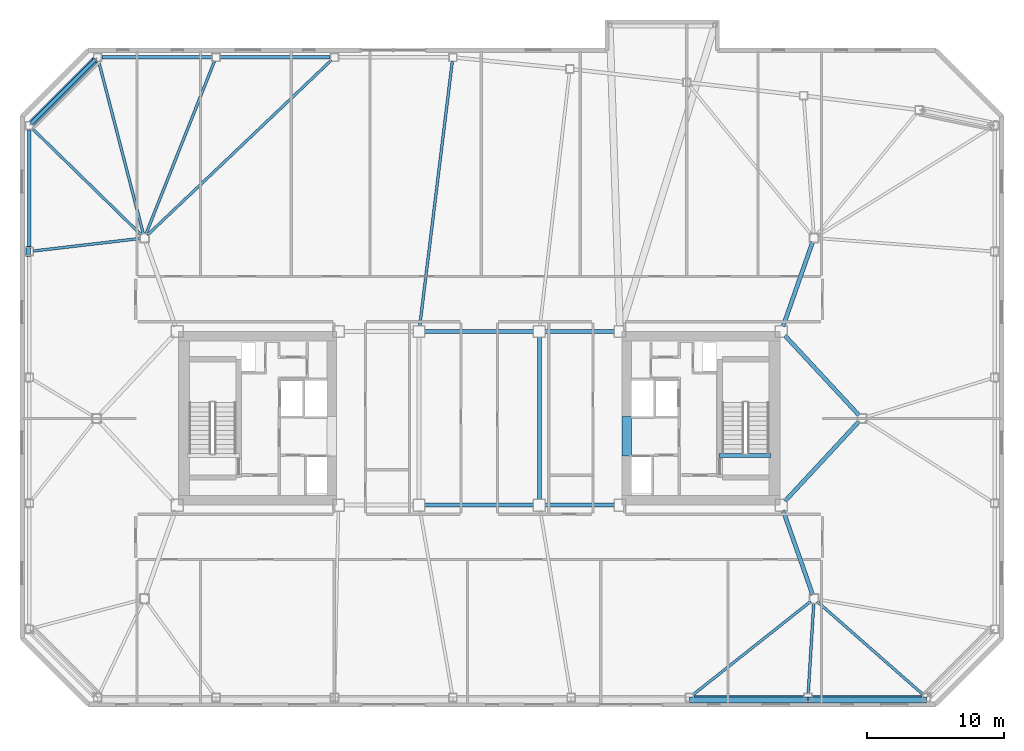
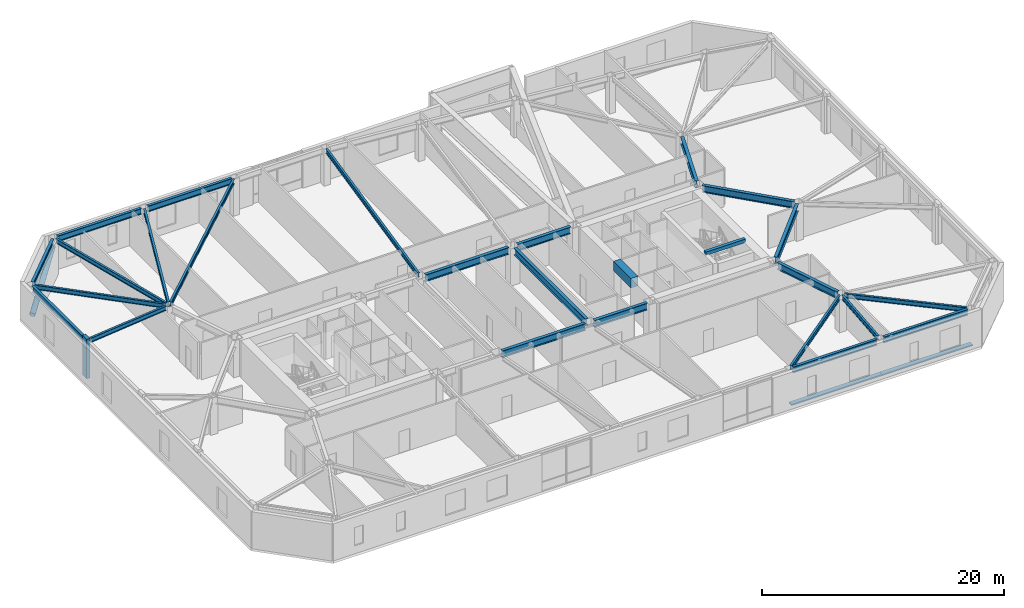
# One storey, part 7 of 18: 26 beams, 4 members.
"""IFC4 building model written with IfcOpenShell, lengths in metres."""

from ifc_helpers import new_model, si_unit, direction, frame, origin, origin_2d, place, context, subcontext, project, spatial, rectangle, hollow_circle, i_section, extrude, material, material_profile, profile_set, type_object, element, save


model = new_model("IFC4")

# Units and contexts
model_context = context("Model", 3, precision=1e-05, world=origin(), true_north=direction((0.0, 1.0)))
body_context = subcontext(model_context, "Body", "Model", "MODEL_VIEW")
ifc_project = project(units=[si_unit("LENGTHUNIT", "METRE"), si_unit("AREAUNIT", "SQUARE_METRE"), si_unit("VOLUMEUNIT", "CUBIC_METRE"), si_unit("PLANEANGLEUNIT", "RADIAN"), si_unit("MASSUNIT", "GRAM", prefix="KILO")], contexts=[model_context])

# Site, building, storey
site_placement = place(None, origin())
site = spatial("IfcSite", under=ifc_project, at=site_placement, CompositionType="ELEMENT")
building_placement = place(site_placement, origin())
building = spatial("IfcBuilding", under=site, at=building_placement, Name="Tavrogorsk Clinical Tower", CompositionType="ELEMENT")
storey_placement = place(building_placement, frame((0.0, 0.0, 180.199951171875)))
storey = spatial("IfcBuildingStorey", under=building, at=storey_placement, Name="L41", CompositionType="ELEMENT", Elevation=180.199951171875)

# Members
ifc_material_1 = material(Name="Anodised aluminium alloy AW-6063", Category="aluminium")
ifc_material_profile_1 = material_profile(ifc_material_1, rectangle(XDim=0.449951171875, YDim=0.1201171875, at=origin_2d()), Name="ALU-SUNSHADE-450x120")
ifc_profile_set_1 = profile_set([ifc_material_profile_1], Name="Anodised aluminium alloy AW-6063")
member_type_1 = type_object("IfcMemberType", Name="ChicagoSunshade_450x120", PredefinedType="USERDEFINED", material=ifc_profile_set_1)
for number, where, z_axis, x_axis, name in (
    (1, (15.394287109375, -20.60009765625, 0.179931640625), (1.0, 0.0, 0.0), (0.0, 1.0, 0.0), "L41 South Aluminium Sunshade S6"),
    (2, (24.05712890625, -20.60009765625, 0.179931640625), (1.0, 0.0, 0.0), (0.0, 1.0, 0.0), "L41 South Aluminium Sunshade S7"),
):
    element("IfcMember", number, at=place(storey_placement, frame(where, z_axis=z_axis, x_axis=x_axis)), inside=storey, type_object=member_type_1, Name=name, ObjectType="SUNSHADE", PredefinedType="USERDEFINED", context=body_context, shape_type="SweptSolid", body=[
        extrude(rectangle(XDim=0.449951171875, YDim=0.1201171875, at=origin_2d()), origin(), (0.0, 0.0, 1.0), 8.662841796875),
    ])

# Beam
ifc_material_2 = material(Name="Concrete B80", Category="concrete")
ifc_material_profile_2 = material_profile(ifc_material_2, rectangle(XDim=0.699951171875, YDim=0.949951171875, at=origin_2d()), Name="RC-CB-700x950")
ifc_profile_set_2 = profile_set([ifc_material_profile_2], Name="Concrete B80")
beam_type_1 = type_object("IfcBeamType", Name="CouplingBeam_RC700x950", PredefinedType="LINTEL", material=ifc_profile_set_2)
beam_1_placement = place(storey_placement, frame((10.800048828125, -2.75, 3.26513671875), z_axis=(0.0, 1.0, 0.0), x_axis=(-1.0, 0.0, 0.0)))
element("IfcBeam", 3, at=beam_1_placement, inside=storey, type_object=beam_type_1, Name="L41 Core East Coupling Beam", PredefinedType="LINTEL", context=body_context, shape_type="SweptSolid", body=[
    extrude(rectangle(XDim=0.699951171875, YDim=0.949951171875, at=origin_2d()), origin(), (0.0, 0.0, 1.0), 2.89990234375),
])

# Member
ifc_material_3 = material(Name="Structural steel S440", Category="steel")
ifc_material_profile_3 = material_profile(ifc_material_3, hollow_circle(Radius=0.25390625, WallThickness=0.02001953125, at=origin_2d()), Name="CHS-508x20")
ifc_profile_set_3 = profile_set([ifc_material_profile_3], Name="Structural steel S440")
member_type_2 = type_object("IfcMemberType", Name="ExoBrace_CHS508", PredefinedType="BRACE", material=ifc_profile_set_3)
member_1_placement = place(storey_placement, frame((-32.717529296875, 21.62255859375, 0.4130859375), z_axis=(0.657758524103, 0.657758524103, 0.367025132572), x_axis=(-0.707106781187, 0.707106781187, 0.0)))
element("IfcMember", 4, at=member_1_placement, inside=storey, type_object=member_type_2, Name="L41 Corner Exoskeleton Brace N8-W1", PredefinedType="BRACE", context=body_context, shape_type="SweptSolid", body=[
    extrude(hollow_circle(Radius=0.25390625, WallThickness=0.02001953125, at=origin_2d()), origin(), (0.0, 0.0, 1.0), 6.98583984375),
])

# Beams
ifc_material_4 = material(Name="Structural steel S355", Category="steel")
ifc_material_profile_4 = material_profile(ifc_material_4, i_section(OverallWidth=0.199951171875, OverallDepth=0.449951171875, WebThickness=0.011474609375, FlangeThickness=0.01806640625, at=origin_2d()), Name="B-450x200x11.5x18")
ifc_profile_set_4 = profile_set([ifc_material_profile_4], Name="Structural steel S355")
beam_type_2 = type_object("IfcBeamType", Name="FloorBeam_B450", PredefinedType="BEAM", material=ifc_profile_set_4)
beam_2_placement = place(storey_placement, frame((24.257080078125, -13.392578125, 3.51513671875), z_axis=(-0.783561002819, -0.621314859682, 0.0), x_axis=(0.621314859682, -0.783561002819, 0.0)))
element("IfcBeam", 5, at=beam_2_placement, inside=storey, type_object=beam_type_2, Name="L41 Radial Floor Beam S6", PredefinedType="BEAM", context=body_context, shape_type="SweptSolid", body=[
    extrude(i_section(OverallWidth=0.199951171875, OverallDepth=0.449951171875, WebThickness=0.011474609375, FlangeThickness=0.01806640625, at=origin_2d()), origin(), (0.0, 0.0, 1.0), 11.002685546875),
])
beam_3_placement = place(storey_placement, frame((24.48095703125, -13.509521484375, 3.51513671875), z_axis=(-0.061224865528, -0.998123998229, 0.0), x_axis=(0.998123998229, -0.061224865528, 0.0)))
element("IfcBeam", 6, at=beam_3_placement, inside=storey, type_object=beam_type_2, Name="L41 Radial Floor Beam S7", PredefinedType="BEAM", context=body_context, shape_type="SweptSolid", body=[
    extrude(i_section(OverallWidth=0.199951171875, OverallDepth=0.449951171875, WebThickness=0.011474609375, FlangeThickness=0.01806640625, at=origin_2d()), origin(), (0.0, 0.0, 1.0), 6.615478515625),
])
beam_4_placement = place(storey_placement, frame((24.73291015625, -13.404541015625, 3.51513671875), z_axis=(0.751322664981, -0.659935037019, 0.0), x_axis=(0.659935037019, 0.751322664981, 0.0)))
element("IfcBeam", 7, at=beam_4_placement, inside=storey, type_object=beam_type_2, Name="L41 Radial Floor Beam S8", PredefinedType="BEAM", context=body_context, shape_type="SweptSolid", body=[
    extrude(i_section(OverallWidth=0.199951171875, OverallDepth=0.449951171875, WebThickness=0.011474609375, FlangeThickness=0.01806640625, at=origin_2d()), origin(), (0.0, 0.0, 1.0), 10.322509765625),
])
beam_5_placement = place(storey_placement, frame((-4.349853515625, 6.7568359375, 3.51513671875), z_axis=(0.122074764034, 0.992520907581, 0.0), x_axis=(-0.992520907581, 0.122074764034, 0.0)))
element("IfcBeam", 8, at=beam_5_placement, inside=storey, type_object=beam_type_2, Name="L41 Radial Floor Beam N5", PredefinedType="BEAM", context=body_context, shape_type="SweptSolid", body=[
    extrude(i_section(OverallWidth=0.199951171875, OverallDepth=0.449951171875, WebThickness=0.011474609375, FlangeThickness=0.01806640625, at=origin_2d()), origin(), (0.0, 0.0, 1.0), 19.503173828125),
])
beam_6_placement = place(storey_placement, frame((-24.275390625, 13.41357421875, 3.51513671875), z_axis=(0.724748919983, 0.689013064451, 0.0), x_axis=(-0.689013064451, 0.724748919983, 0.0)))
element("IfcBeam", 9, at=beam_6_placement, inside=storey, type_object=beam_type_2, Name="L41 Radial Floor Beam N6", PredefinedType="BEAM", context=body_context, shape_type="SweptSolid", body=[
    extrude(i_section(OverallWidth=0.199951171875, OverallDepth=0.449951171875, WebThickness=0.011474609375, FlangeThickness=0.01806640625, at=origin_2d()), origin(), (0.0, 0.0, 1.0), 18.56884765625),
])
beam_7_placement = place(storey_placement, frame((-24.3857421875, 13.48828125, 3.51513671875), z_axis=(0.368659944508, 0.929564330918, 0.0), x_axis=(-0.929564330918, 0.368659944508, 0.0)))
element("IfcBeam", 10, at=beam_7_placement, inside=storey, type_object=beam_type_2, Name="L41 Radial Floor Beam N7", PredefinedType="BEAM", context=body_context, shape_type="SweptSolid", body=[
    extrude(i_section(OverallWidth=0.199951171875, OverallDepth=0.449951171875, WebThickness=0.011474609375, FlangeThickness=0.01806640625, at=origin_2d()), origin(), (0.0, 0.0, 1.0), 13.603759765625),
])
beam_8_placement = place(storey_placement, frame((-24.57763671875, 13.5, 3.51513671875), z_axis=(-0.250445465048, 0.968130708653, 0.0), x_axis=(-0.968130708653, -0.250445465048, 0.0)))
element("IfcBeam", 11, at=beam_8_placement, inside=storey, type_object=beam_type_2, Name="L41 Radial Floor Beam N8", PredefinedType="BEAM", context=body_context, shape_type="SweptSolid", body=[
    extrude(i_section(OverallWidth=0.199951171875, OverallDepth=0.449951171875, WebThickness=0.011474609375, FlangeThickness=0.01806640625, at=origin_2d()), origin(), (0.0, 0.0, 1.0), 13.037353515625),
])
beam_9_placement = place(storey_placement, frame((-24.721923828125, 13.41650390625, 3.51513671875), z_axis=(-0.715552053538, 0.698559416712, 0.0), x_axis=(-0.698559416712, -0.715552053538, 0.0)))
element("IfcBeam", 12, at=beam_9_placement, inside=storey, type_object=beam_type_2, Name="L41 Radial Floor Beam W1", PredefinedType="BEAM", context=body_context, shape_type="SweptSolid", body=[
    extrude(i_section(OverallWidth=0.199951171875, OverallDepth=0.449951171875, WebThickness=0.011474609375, FlangeThickness=0.01806640625, at=origin_2d()), origin(), (0.0, 0.0, 1.0), 11.149169921875),
])
beam_10_placement = place(storey_placement, frame((-24.807861328125, 13.163818359375, 3.51513671875), z_axis=(-0.993156539687, -0.116790785927, 0.0), x_axis=(0.116790785927, -0.993156539687, 0.0)))
element("IfcBeam", 13, at=beam_10_placement, inside=storey, type_object=beam_type_2, Name="L41 Radial Floor Beam W2", PredefinedType="BEAM", context=body_context, shape_type="SweptSolid", body=[
    extrude(i_section(OverallWidth=0.199951171875, OverallDepth=0.449951171875, WebThickness=0.011474609375, FlangeThickness=0.01806640625, at=origin_2d()), origin(), (0.0, 0.0, 1.0), 7.85986328125),
])

# Member
ifc_material_5 = material(Name="Precast concrete B45 with limestone cladding", Category="masonry")
ifc_material_profile_5 = material_profile(ifc_material_5, rectangle(XDim=0.320068359375, YDim=0.719970703125, at=origin_2d()), Name="LIMESTONE-FIN-320x720")
ifc_profile_set_5 = profile_set([ifc_material_profile_5], Name="Precast concrete B45 with limestone cladding")
member_type_3 = type_object("IfcMemberType", Name="LimestonePleatFin_320x720", PredefinedType="USERDEFINED", material=ifc_profile_set_5)
member_2_placement = place(storey_placement, frame((-33.0, 12.2099609375, 0.0), z_axis=(0.0, 0.0, 1.0), x_axis=(1.0, 0.0, 0.0)))
element("IfcMember", 14, at=member_2_placement, inside=storey, type_object=member_type_3, Name="L41 W Pleated Stone Fin 1", ObjectType="FIN", PredefinedType="USERDEFINED", context=body_context, shape_type="SweptSolid", body=[
    extrude(rectangle(XDim=0.320068359375, YDim=0.719970703125, at=origin_2d()), origin(), (0.0, 0.0, 1.0), 4.0),
])

# Beams
ifc_material_6 = material(Name="Structural steel S390", Category="steel")
ifc_material_profile_6 = material_profile(ifc_material_6, i_section(OverallWidth=0.300048828125, OverallDepth=0.699951171875, WebThickness=0.01708984375, FlangeThickness=0.028076171875, at=origin_2d()), Name="B-700x300x17x28")
ifc_profile_set_6 = profile_set([ifc_material_profile_6], Name="Structural steel S390")
beam_type_3 = type_object("IfcBeamType", Name="PrimaryGirder_B700", PredefinedType="USERDEFINED", material=ifc_profile_set_6)
for number, where, z_axis, x_axis, name in (
    (15, (-3.989990234375, -6.35009765625, 3.39013671875), (1.0, 0.0, 0.0), (0.0, 1.0, 0.0), "L41 Primary Spine Girder MG-03"),
    (16, (-3.989990234375, 6.35009765625, 3.39013671875), (1.0, 0.0, 0.0), (0.0, 1.0, 0.0), "L41 Primary Spine Girder MG-04"),
):
    element("IfcBeam", number, at=place(storey_placement, frame(where, z_axis=z_axis, x_axis=x_axis)), inside=storey, type_object=beam_type_3, Name=name, ObjectType="GIRDER", PredefinedType="USERDEFINED", context=body_context, shape_type="SweptSolid", body=[
        extrude(i_section(OverallWidth=0.300048828125, OverallDepth=0.699951171875, WebThickness=0.01708984375, FlangeThickness=0.028076171875, at=origin_2d()), origin(), (0.0, 0.0, 1.0), 7.97998046875),
    ])
for number, where, z_axis, x_axis, name in (
    (17, (4.81005859375, -6.35009765625, 3.39013671875), (1.0, 0.0, 0.0), (0.0, 1.0, 0.0), "L41 Primary Spine Girder MG-05"),
    (18, (4.81005859375, 6.35009765625, 3.39013671875), (1.0, 0.0, 0.0), (0.0, 1.0, 0.0), "L41 Primary Spine Girder MG-06"),
):
    element("IfcBeam", number, at=place(storey_placement, frame(where, z_axis=z_axis, x_axis=x_axis)), inside=storey, type_object=beam_type_3, Name=name, ObjectType="GIRDER", PredefinedType="USERDEFINED", context=body_context, shape_type="SweptSolid", body=[
        extrude(i_section(OverallWidth=0.300048828125, OverallDepth=0.699951171875, WebThickness=0.01708984375, FlangeThickness=0.028076171875, at=origin_2d()), origin(), (0.0, 0.0, 1.0), 5.079833984375),
    ])
beam_11_placement = place(storey_placement, frame((4.39990234375, -5.93994140625, 3.39013671875), z_axis=(0.0, 1.0, 0.0), x_axis=(-1.0, 0.0, 0.0)))
element("IfcBeam", 19, at=beam_11_placement, inside=storey, type_object=beam_type_3, Name="L41 Primary Spine Girder MG-08", ObjectType="GIRDER", PredefinedType="USERDEFINED", context=body_context, shape_type="SweptSolid", body=[
    extrude(i_section(OverallWidth=0.300048828125, OverallDepth=0.699951171875, WebThickness=0.01708984375, FlangeThickness=0.028076171875, at=origin_2d()), origin(), (0.0, 0.0, 1.0), 11.8798828125),
])
for number, where, z_axis, x_axis, name in (
    (20, (24.3974609375, -12.907470703125, 3.39013671875), (-0.33065312634, 0.94375235631, 0.0), (-0.94375235631, -0.33065312634, 0.0), "L41 Spine Link Girder OPG-2"),
    (21, (24.3974609375, 12.907470703125, 3.39013671875), (-0.33065312634, -0.94375235631, 0.0), (0.94375235631, -0.33065312634, 0.0), "L41 Spine Link Girder OPG-4"),
):
    element("IfcBeam", number, at=place(storey_placement, frame(where, z_axis=z_axis, x_axis=x_axis)), inside=storey, type_object=beam_type_3, Name=name, ObjectType="GIRDER", PredefinedType="USERDEFINED", context=body_context, shape_type="SweptSolid", body=[
        extrude(i_section(OverallWidth=0.300048828125, OverallDepth=0.699951171875, WebThickness=0.01708984375, FlangeThickness=0.028076171875, at=origin_2d()), origin(), (0.0, 0.0, 1.0), 6.5380859375),
    ])
for number, where, z_axis, x_axis, name in (
    (22, (27.7890625, -0.22705078125, 3.39013671875), (-0.680673750312, -0.732586681312, 0.0), (0.732586681312, -0.680673750312, 0.0), "L41 Spine Link Girder OPG-7"),
    (23, (27.7890625, 0.22705078125, 3.39013671875), (-0.680673750312, 0.732586681312, 0.0), (-0.732586681312, -0.680673750312, 0.0), "L41 Spine Link Girder OPG-8"),
):
    element("IfcBeam", number, at=place(storey_placement, frame(where, z_axis=z_axis, x_axis=x_axis)), inside=storey, type_object=beam_type_3, Name=name, ObjectType="GIRDER", PredefinedType="USERDEFINED", context=body_context, shape_type="SweptSolid", body=[
        extrude(i_section(OverallWidth=0.300048828125, OverallDepth=0.699951171875, WebThickness=0.01708984375, FlangeThickness=0.028076171875, at=origin_2d()), origin(), (0.0, 0.0, 1.0), 7.947998046875),
    ])
ifc_material_7 = material(Name="Structural steel S390", Category="steel")
ifc_material_profile_7 = material_profile(ifc_material_7, i_section(OverallWidth=0.260009765625, OverallDepth=0.60009765625, WebThickness=0.014892578125, FlangeThickness=0.02392578125, at=origin_2d()), Name="B-600x260x15x24")
ifc_profile_set_7 = profile_set([ifc_material_profile_7], Name="Structural steel S390")
beam_type_4 = type_object("IfcBeamType", Name="SpandrelBeam_B600", PredefinedType="SPANDREL", material=ifc_profile_set_7)
beam_12_placement = place(storey_placement, frame((15.702392578125, -20.419921875, 3.43994140625), z_axis=(1.0, 0.0, 0.0), x_axis=(0.0, 1.0, 0.0)))
element("IfcBeam", 24, at=beam_12_placement, inside=storey, type_object=beam_type_4, Name="L41 Perimeter Spandrel S6-S7", PredefinedType="SPANDREL", context=body_context, shape_type="SweptSolid", body=[
    extrude(i_section(OverallWidth=0.260009765625, OverallDepth=0.60009765625, WebThickness=0.014892578125, FlangeThickness=0.02392578125, at=origin_2d()), origin(), (0.0, 0.0, 1.0), 8.046630859375),
])
beam_13_placement = place(storey_placement, frame((24.364990234375, -20.419921875, 3.43994140625), z_axis=(1.0, 0.0, 0.0), x_axis=(0.0, 1.0, 0.0)))
element("IfcBeam", 25, at=beam_13_placement, inside=storey, type_object=beam_type_4, Name="L41 Perimeter Spandrel S7-S8", PredefinedType="SPANDREL", context=body_context, shape_type="SweptSolid", body=[
    extrude(i_section(OverallWidth=0.260009765625, OverallDepth=0.60009765625, WebThickness=0.014892578125, FlangeThickness=0.02392578125, at=origin_2d()), origin(), (0.0, 0.0, 1.0), 8.047119140625),
])
for number, where, z_axis, x_axis, name in (
    (26, (-10.90234375, 26.419921875, 3.43994140625), (-1.0, 0.0, 0.0), (0.0, -1.0, 0.0), "L41 Perimeter Spandrel N6-N7"),
    (27, (-19.565185546875, 26.419921875, 3.43994140625), (-1.0, 0.0, 0.0), (0.0, -1.0, 0.0), "L41 Perimeter Spandrel N7-N8"),
):
    element("IfcBeam", number, at=place(storey_placement, frame(where, z_axis=z_axis, x_axis=x_axis)), inside=storey, type_object=beam_type_4, Name=name, PredefinedType="SPANDREL", context=body_context, shape_type="SweptSolid", body=[
        extrude(i_section(OverallWidth=0.260009765625, OverallDepth=0.60009765625, WebThickness=0.014892578125, FlangeThickness=0.02392578125, at=origin_2d()), origin(), (0.0, 0.0, 1.0), 8.046875),
    ])
beam_14_placement = place(storey_placement, frame((-28.1376953125, 26.2021484375, 3.43994140625), z_axis=(-0.707106781187, -0.707106781187, 0.0), x_axis=(0.707106781187, -0.707106781187, 0.0)))
element("IfcBeam", 28, at=beam_14_placement, inside=storey, type_object=beam_type_4, Name="L41 Perimeter Spandrel N8-W1", PredefinedType="SPANDREL", context=body_context, shape_type="SweptSolid", body=[
    extrude(i_section(OverallWidth=0.260009765625, OverallDepth=0.60009765625, WebThickness=0.014892578125, FlangeThickness=0.02392578125, at=origin_2d()), origin(), (0.0, 0.0, 1.0), 6.455078125),
])
beam_15_placement = place(storey_placement, frame((-32.919921875, 21.112060546875, 3.43994140625), z_axis=(0.0, -1.0, 0.0), x_axis=(1.0, 0.0, 0.0)))
element("IfcBeam", 29, at=beam_15_placement, inside=storey, type_object=beam_type_4, Name="L41 Perimeter Spandrel W1-W2", PredefinedType="SPANDREL", context=body_context, shape_type="SweptSolid", body=[
    extrude(i_section(OverallWidth=0.260009765625, OverallDepth=0.60009765625, WebThickness=0.014892578125, FlangeThickness=0.02392578125, at=origin_2d()), origin(), (0.0, 0.0, 1.0), 8.593994140625),
])
ifc_material_8 = material(Name="Concrete B60", Category="concrete")
ifc_material_profile_8 = material_profile(ifc_material_8, rectangle(XDim=0.300048828125, YDim=0.35009765625, at=origin_2d()), Name="RC-SHB-300x350")
ifc_profile_set_8 = profile_set([ifc_material_profile_8], Name="Concrete B60")
beam_type_5 = type_object("IfcBeamType", Name="StairHeaderBeam_RC300x350", PredefinedType="BEAM", material=ifc_profile_set_8)
beam_16_placement = place(storey_placement, frame((17.550048828125, -2.719970703125, 3.824951171875), z_axis=(1.0, 0.0, 0.0), x_axis=(0.0, 1.0, 0.0)))
element("IfcBeam", 30, at=beam_16_placement, inside=storey, type_object=beam_type_5, Name="L42 ST-E Landing Header Beam", PredefinedType="BEAM", context=body_context, shape_type="SweptSolid", body=[
    extrude(rectangle(XDim=0.300048828125, YDim=0.35009765625, at=origin_2d()), origin(), (0.0, 0.0, 1.0), 3.800048828125),
])

save(model, "model.ifc")
